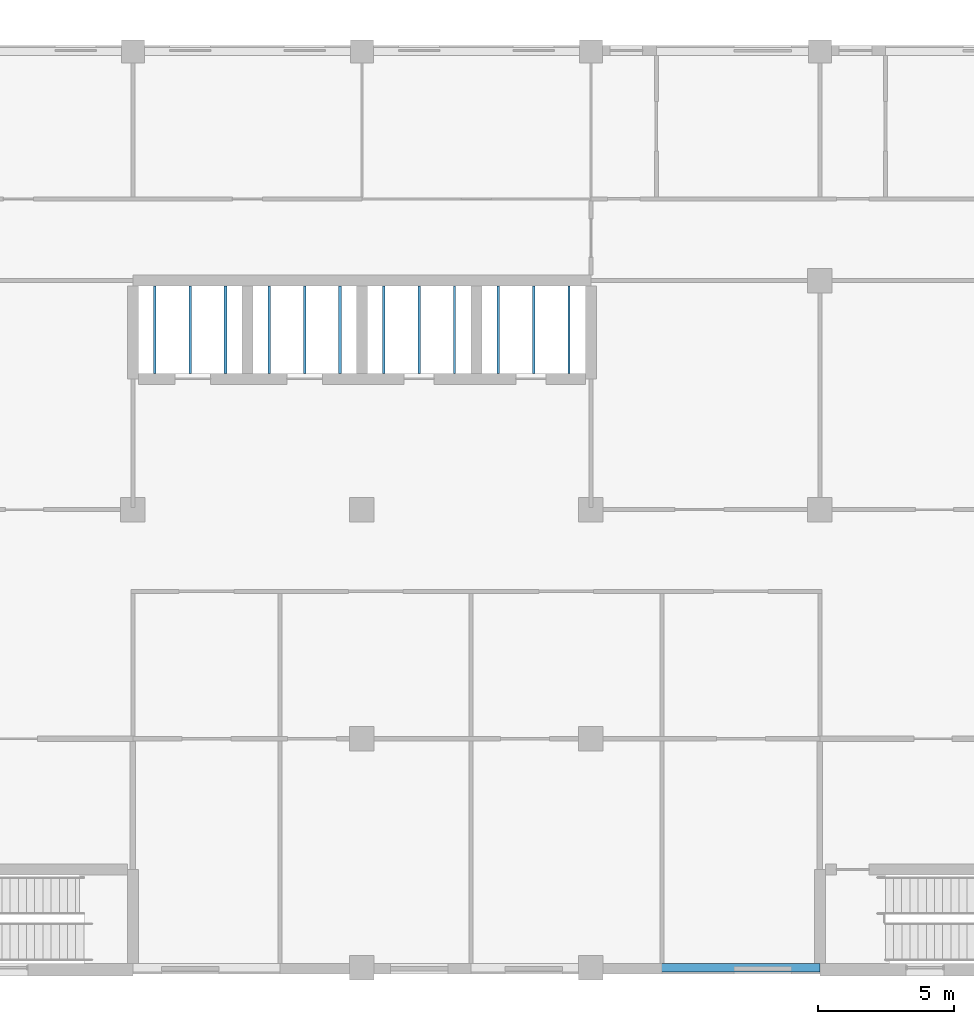
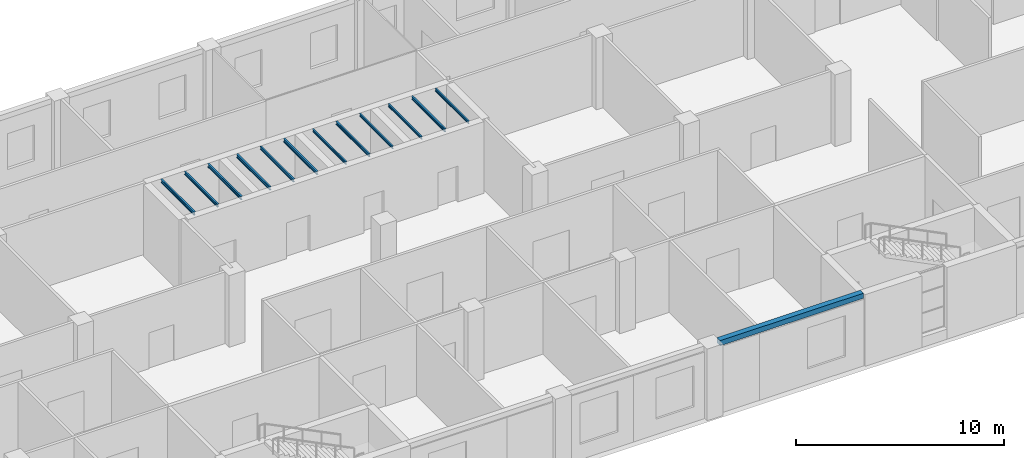
# One storey, part 11 of 66: 13 beams.
"""IFC4 building model written with IfcOpenShell, lengths in metres."""

from ifc_helpers import new_model, si_unit, direction, frame, origin, origin_2d, place, context, subcontext, project, spatial, rectangle, i_section, extrude, material, material_profile, profile_set, type_object, element, save


model = new_model("IFC4")

# Units and contexts
model_context = context("Model", 3, precision=1e-05, world=origin(), true_north=direction((0.0, 1.0)))
body_context = subcontext(model_context, "Body", "Model", "MODEL_VIEW")
ifc_project = project(units=[si_unit("LENGTHUNIT", "METRE"), si_unit("AREAUNIT", "SQUARE_METRE"), si_unit("VOLUMEUNIT", "CUBIC_METRE"), si_unit("PLANEANGLEUNIT", "RADIAN"), si_unit("MASSUNIT", "GRAM", prefix="KILO")], contexts=[model_context])

# Site, building, storey
site_placement = place(None, origin())
site = spatial("IfcSite", under=ifc_project, at=site_placement, CompositionType="ELEMENT")
building_placement = place(site_placement, origin())
building = spatial("IfcBuilding", under=site, at=building_placement, Name="Yavir Park General Hospital", CompositionType="ELEMENT")
storey_placement = place(building_placement, frame((0.0, 0.0, 8.39990234375)))
storey = spatial("IfcBuildingStorey", under=building, at=storey_placement, Name="L02", CompositionType="ELEMENT", Elevation=8.39990234375)

# Beams
ifc_material_1 = material(Name="Steel S355", Category="steel")
ifc_material_profile_1 = material_profile(ifc_material_1, i_section(OverallWidth=0.08203125, OverallDepth=0.159912109375, WebThickness=0.0048828125, FlangeThickness=0.00732421875, FilletRadius=0.009033203125, at=origin_2d()), Name="IPE160")
ifc_profile_set_1 = profile_set([ifc_material_profile_1], Name="Steel S355")
beam_type_1 = type_object("IfcBeamType", Name="IPE 160 lift machine beam", PredefinedType="BEAM", material=ifc_profile_set_1)
for number, where, z_axis, x_axis, name in (
    (1, (84.800048828125, 21.800048828125, 4.1201171875), (0.0, 1.0, 0.0), (-1.0, 0.0, 0.0), "B:MACH:PL1:0"),
    (2, (87.39990234375, 21.800048828125, 4.1201171875), (0.0, 1.0, 0.0), (-1.0, 0.0, 0.0), "B:MACH:PL1:1"),
    (3, (89.0, 21.800048828125, 4.1201171875), (0.0, 1.0, 0.0), (-1.0, 0.0, 0.0), "B:MACH:PL2:0"),
    (4, (91.60009765625, 21.800048828125, 4.1201171875), (0.0, 1.0, 0.0), (-1.0, 0.0, 0.0), "B:MACH:PL2:1"),
):
    element("IfcBeam", number, at=place(storey_placement, frame(where, z_axis=z_axis, x_axis=x_axis)), inside=storey, type_object=beam_type_1, Name=name, PredefinedType="BEAM", context=body_context, shape_type="SweptSolid", body=[
        extrude(i_section(OverallWidth=0.08203125, OverallDepth=0.159912109375, WebThickness=0.0048828125, FlangeThickness=0.00732421875, FilletRadius=0.009033203125, at=origin_2d()), origin(), (0.0, 0.0, 1.0), 3.199951171875),
    ])
ifc_material_2 = material(Name="Steel S355", Category="steel")
ifc_material_profile_2 = material_profile(ifc_material_2, i_section(OverallWidth=0.091064453125, OverallDepth=0.179931640625, WebThickness=0.00537109375, FlangeThickness=0.008056640625, FilletRadius=0.009033203125, at=origin_2d()), Name="IPE180")
ifc_profile_set_2 = profile_set([ifc_material_profile_2], Name="Steel S355")
beam_type_2 = type_object("IfcBeamType", Name="IPE 180 lift hoist beam", PredefinedType="BEAM", material=ifc_profile_set_2)
for number, where, z_axis, x_axis, name in (
    (5, (77.699951171875, 21.800048828125, 4.110107421875), (0.0, 1.0, 0.0), (-1.0, 0.0, 0.0), "B:HOIST:BL1"),
    (6, (81.89990234375, 21.800048828125, 4.110107421875), (0.0, 1.0, 0.0), (-1.0, 0.0, 0.0), "B:HOIST:BL2"),
    (7, (86.10009765625, 21.800048828125, 4.110107421875), (0.0, 1.0, 0.0), (-1.0, 0.0, 0.0), "B:HOIST:PL1"),
    (8, (90.300048828125, 21.800048828125, 4.110107421875), (0.0, 1.0, 0.0), (-1.0, 0.0, 0.0), "B:HOIST:PL2"),
):
    element("IfcBeam", number, at=place(storey_placement, frame(where, z_axis=z_axis, x_axis=x_axis)), inside=storey, type_object=beam_type_2, Name=name, PredefinedType="BEAM", context=body_context, shape_type="SweptSolid", body=[
        extrude(i_section(OverallWidth=0.091064453125, OverallDepth=0.179931640625, WebThickness=0.00537109375, FlangeThickness=0.008056640625, FilletRadius=0.009033203125, at=origin_2d()), origin(), (0.0, 0.0, 1.0), 3.199951171875),
    ])
ifc_material_3 = material(Name="Steel S355", Category="steel")
ifc_material_profile_3 = material_profile(ifc_material_3, i_section(OverallWidth=0.10009765625, OverallDepth=0.199951171875, WebThickness=0.005615234375, FlangeThickness=0.008544921875, FilletRadius=0.011962890625, at=origin_2d()), Name="IPE200")
ifc_profile_set_3 = profile_set([ifc_material_profile_3], Name="Steel S355")
beam_type_3 = type_object("IfcBeamType", Name="IPE 200 lift machine beam", PredefinedType="BEAM", material=ifc_profile_set_3)
for number, where, z_axis, x_axis, name in (
    (9, (76.39990234375, 21.800048828125, 4.10009765625), (0.0, 1.0, 0.0), (-1.0, 0.0, 0.0), "B:MACH:BL1:0"),
    (10, (79.0, 21.800048828125, 4.10009765625), (0.0, 1.0, 0.0), (-1.0, 0.0, 0.0), "B:MACH:BL1:1"),
    (11, (80.60009765625, 21.800048828125, 4.10009765625), (0.0, 1.0, 0.0), (-1.0, 0.0, 0.0), "B:MACH:BL2:0"),
    (12, (83.199951171875, 21.800048828125, 4.10009765625), (0.0, 1.0, 0.0), (-1.0, 0.0, 0.0), "B:MACH:BL2:1"),
):
    element("IfcBeam", number, at=place(storey_placement, frame(where, z_axis=z_axis, x_axis=x_axis)), inside=storey, type_object=beam_type_3, Name=name, PredefinedType="BEAM", context=body_context, shape_type="SweptSolid", body=[
        extrude(i_section(OverallWidth=0.10009765625, OverallDepth=0.199951171875, WebThickness=0.005615234375, FlangeThickness=0.008544921875, FilletRadius=0.011962890625, at=origin_2d()), origin(), (0.0, 0.0, 1.0), 3.199951171875),
    ])
ifc_material_4 = material(Name="Concrete C35/45", Category="concrete")
ifc_material_profile_4 = material_profile(ifc_material_4, rectangle(XDim=0.300048828125, YDim=0.300048828125, at=origin_2d()), Name="RC300x300")
ifc_profile_set_4 = profile_set([ifc_material_profile_4], Name="Concrete C35/45")
beam_type_4 = type_object("IfcBeamType", Name="RC BEAM 300x300 edge beam", PredefinedType="BEAM", material=ifc_profile_set_4)
beam_placement = place(storey_placement, frame((92.85009765625, 0.0, 4.050048828125), z_axis=(1.0, 0.0, 0.0), x_axis=(0.0, 1.0, 0.0)))
element("IfcBeam", 13, at=beam_placement, inside=storey, type_object=beam_type_4, Name="B:EDGE:L02:010", PredefinedType="BEAM", context=body_context, shape_type="SweptSolid", body=[
    extrude(rectangle(XDim=0.300048828125, YDim=0.300048828125, at=origin_2d()), origin(), (0.0, 0.0, 1.0), 7.949951171875),
])

save(model, "model.ifc")
